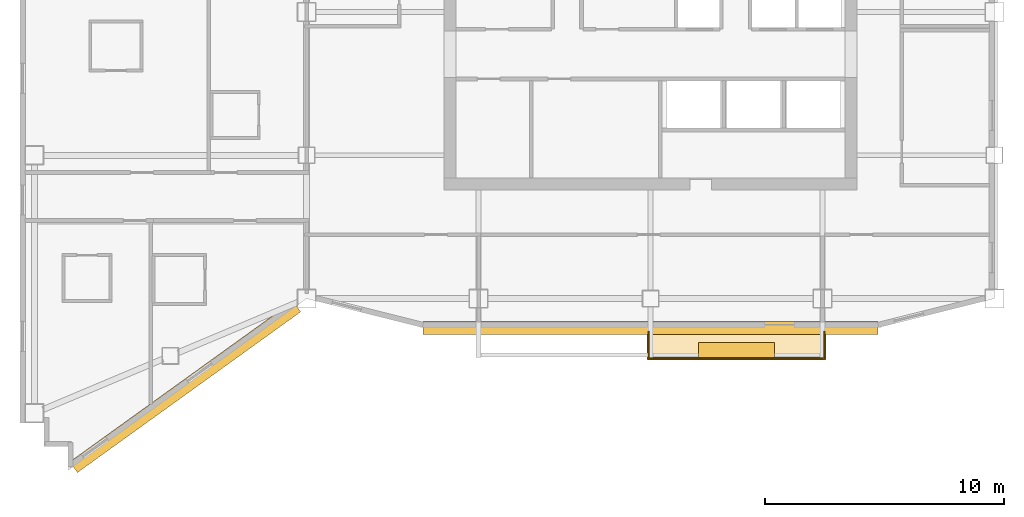
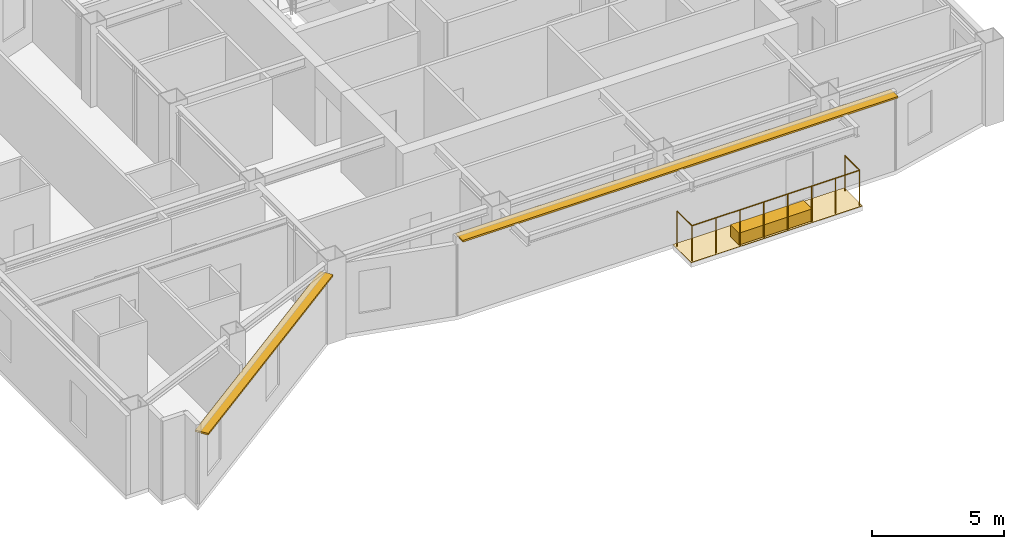
# One storey, part 9 of 10: 2 coverings, 2 railings, 2 shading devices.
"""IFC4 building model written with IfcOpenShell, lengths in metres."""

import ifcopenshell
import ifcopenshell.guid

model = None  # the IFC model being written
_history = None  # IfcOwnerHistory: only IFC2X3 demands one
_inside = {}  # id of a spatial element -> (the spatial element, [elements in it])
_under = {}  # id of a project, library or spatial element -> (it, [spatial elements below it])
_declared = {}  # id of a project -> (the project, [libraries it declares])
_typed = {}  # id of a type object -> (the type object, [elements of that type])
_made_of = {}  # id of a material, layer set ... -> (it, [elements and type objects made of it])


def new_model(schema):
    """Start an empty IFC model of exactly this schema.

    Asked for "IFC4X3", IfcOpenShell would pick the latest addendum, in which some entities
    have other attributes; the version numbers below select the first issue.
    IFC2X3 requires an IfcOwnerHistory on every rooted entity: one is made here for all.
    """
    global model, _history
    if schema == "IFC4X3":
        model = ifcopenshell.file(schema_version=(4, 3, 0, 0))
    else:
        model = ifcopenshell.file(schema=schema)
    _inside.clear()
    _under.clear()
    _declared.clear()
    _typed.clear()
    _made_of.clear()
    _history = None
    if model.schema == "IFC2X3":
        org = make("IfcOrganization", Name="unknown")
        user = make(
            "IfcPersonAndOrganization",
            ThePerson=make("IfcPerson", FamilyName="unknown"),
            TheOrganization=org,
        )
        app = make(
            "IfcApplication",
            ApplicationDeveloper=org,
            Version="unknown",
            ApplicationFullName="unknown",
            ApplicationIdentifier="unknown",
        )
        _history = make(
            "IfcOwnerHistory",
            OwningUser=user,
            OwningApplication=app,
            ChangeAction="ADDED",
            CreationDate=0,
        )
    return model


def make(cls, **values):
    """One entity of the class cls with the attributes given. An attribute that is None is left unset."""
    return model.create_entity(
        cls, **{name: value for name, value in values.items() if value is not None}
    )


def rooted(cls, **values):
    """An entity with a GlobalId (a new one), such as an element, a storey or a relation."""
    return make(cls, GlobalId=ifcopenshell.guid.new(), OwnerHistory=_history, **values)


def si_unit(unit_type, name, prefix=None):
    """IfcSIUnit, for example si_unit("LENGTHUNIT", "METRE", prefix="MILLI")."""
    return make("IfcSIUnit", UnitType=unit_type, Prefix=prefix, Name=name)


def assignment(units):
    """IfcUnitAssignment: the units of a project."""
    return None if units is None else make("IfcUnitAssignment", Units=units)


def point(xyz):
    """IfcCartesianPoint."""
    return None if xyz is None else make("IfcCartesianPoint", Coordinates=xyz)


def direction(xyz):
    """IfcDirection."""
    return None if xyz is None else make("IfcDirection", DirectionRatios=xyz)


def frame(location, z_axis=None, x_axis=None):
    """IfcAxis2Placement3D, a coordinate frame: its origin and axes. An axis left out is left unset."""
    return make(
        "IfcAxis2Placement3D",
        Location=point(location),
        Axis=direction(z_axis),
        RefDirection=direction(x_axis),
    )


def frame_2d(location, x_axis=None):
    """IfcAxis2Placement2D, a coordinate frame in the plane: its origin and x axis."""
    return make(
        "IfcAxis2Placement2D", Location=point(location), RefDirection=direction(x_axis)
    )


def origin():
    """The frame at (0, 0, 0) with its axes left unset."""
    return frame((0.0, 0.0, 0.0))


def origin_2d():
    """The frame at (0, 0) in the plane with its x axis left unset."""
    return frame_2d((0.0, 0.0))


def place(relative_to, where):
    """IfcLocalPlacement: puts the frame where relative to a parent placement (None: the world)."""
    return make(
        "IfcLocalPlacement", PlacementRelTo=relative_to, RelativePlacement=where
    )


def context(
    kind, dimensions, precision=None, world=None, true_north=None, identifier=None
):
    """IfcGeometricRepresentationContext, for example the 3D "Model" context."""
    return make(
        "IfcGeometricRepresentationContext",
        ContextIdentifier=identifier,
        ContextType=kind,
        CoordinateSpaceDimension=dimensions,
        Precision=precision,
        WorldCoordinateSystem=world,
        TrueNorth=true_north,
    )


def subcontext(parent, identifier, kind, view, scale=None):
    """IfcGeometricRepresentationSubContext, for example "Body" below "Model"."""
    return make(
        "IfcGeometricRepresentationSubContext",
        ContextIdentifier=identifier,
        ContextType=kind,
        ParentContext=parent,
        TargetScale=scale,
        TargetView=view,
    )


def project(units=None, contexts=None):
    """IfcProject with its units and contexts."""
    return rooted(
        "IfcProject",
        Name="project",
        RepresentationContexts=contexts,
        UnitsInContext=assignment(units),
    )


def spatial(cls, under=None, at=None, **own):
    """A site, building, storey or space (cls), placed at a placement, below another one or the project."""
    s = rooted(cls, ObjectPlacement=at, **own)
    if under is not None:
        _under.setdefault(under.id(), (under, []))[1].append(s)
    return s


def polyline(points):
    """IfcPolyline through the points."""
    return make("IfcPolyline", Points=[point(p) for p in points])


def profile(cls, at=None, kind="AREA", **sizes):
    """A parametric profile (cls). Its sizes go by their IFC names, for example OverallWidth=200.0."""
    return make(cls, ProfileType=kind, Position=at, **sizes)


def rectangle(**sizes):
    """IfcRectangleProfileDef."""
    return profile("IfcRectangleProfileDef", **sizes)


def circle(**sizes):
    """IfcCircleProfileDef."""
    return profile("IfcCircleProfileDef", **sizes)


def outline(outer, holes=None, kind="AREA"):
    """IfcArbitraryClosedProfileDef: a profile drawn as a closed curve; with holes, ...WithVoids."""
    if holes is None:
        return make("IfcArbitraryClosedProfileDef", ProfileType=kind, OuterCurve=outer)
    return make(
        "IfcArbitraryProfileDefWithVoids",
        ProfileType=kind,
        OuterCurve=outer,
        InnerCurves=holes,
    )


def extrude(swept, where, along, depth):
    """IfcExtrudedAreaSolid: the profile swept, set in the frame where, extruded along a direction by depth."""
    return make(
        "IfcExtrudedAreaSolid",
        SweptArea=swept,
        Position=where,
        ExtrudedDirection=direction(along),
        Depth=depth,
    )


def shape(context_of_items, identifier, shape_type, items):
    """IfcShapeRepresentation: the items that make up one representation, for example the "Body"."""
    return make(
        "IfcShapeRepresentation",
        ContextOfItems=context_of_items,
        RepresentationIdentifier=identifier,
        RepresentationType=shape_type,
        Items=items,
    )


def material(Name=None, Category=None):
    """IfcMaterial."""
    return make("IfcMaterial", Name=Name, Category=Category)


def layer(
    of_material, thickness, ventilated=None, Name=None, Category=None, Priority=None
):
    """IfcMaterialLayer: one layer of a wall or slab, of a material (None: an air gap)."""
    return make(
        "IfcMaterialLayer",
        Material=of_material,
        LayerThickness=thickness,
        IsVentilated=ventilated,
        Name=Name,
        Category=Category,
        Priority=Priority,
    )


def layer_set(layers, Name=None):
    """IfcMaterialLayerSet."""
    return make("IfcMaterialLayerSet", MaterialLayers=layers, LayerSetName=Name)


def made_of(thing, what):
    """Note that an element or type object is made of a material, layer set ...; save() writes the relation."""
    if what is not None:
        _made_of.setdefault(what.id(), (what, []))[1].append(thing)
    return thing


def type_object(cls, material=None, **own):
    """A type object (cls), such as IfcWallType, which elements share."""
    return made_of(rooted(cls, **own), material)


def element(
    cls,
    number,
    at=None,
    inside=None,
    cuts=None,
    type_object=None,
    material=None,
    context=None,
    identifier="Body",
    shape_type=None,
    held_by="IfcProductDefinitionShape",
    body=None,
    shapes=None,
    **own,
):
    """One element of the class cls, such as IfcWall. Its Tag is "e" and its number.

    at: its placement. inside: the storey or other place that contains it. cuts: it is an
    opening in that element (IfcRelVoidsElement). A single representation is given by context,
    identifier, shape_type and body (its items); several are given by shapes. held_by: the class
    of the entity that holds the representations. save() writes the other relations.
    """
    e = rooted(cls, Tag="e%d" % number, ObjectPlacement=at, **own)
    if body is not None:
        shapes = [shape(context, identifier, shape_type, body)]
    if shapes is not None:
        e.Representation = make(held_by, Representations=shapes)
    if inside is not None:
        _inside.setdefault(inside.id(), (inside, []))[1].append(e)
    if cuts is not None:
        rooted(
            "IfcRelVoidsElement", RelatingBuildingElement=cuts, RelatedOpeningElement=e
        )
    if type_object is not None:
        _typed.setdefault(type_object.id(), (type_object, []))[1].append(e)
    return made_of(e, material)


def aggregate(whole, parts):
    """IfcRelAggregates: a whole, such as a stair, and the parts it consists of."""
    return rooted("IfcRelAggregates", RelatingObject=whole, RelatedObjects=parts)


def save(model, path):
    """Write the relations noted so far, then the file.

    IfcRelAggregates (storeys below a building ...), IfcRelContainedInSpatialStructure (elements
    in a storey), IfcRelDefinesByType, IfcRelAssociatesMaterial and IfcRelDeclares: one each for
    every whole, place, type object, material and project.
    """
    for whole, parts in _under.values():
        aggregate(whole, parts)
    for where, things in _inside.values():
        rooted(
            "IfcRelContainedInSpatialStructure",
            RelatedElements=things,
            RelatingStructure=where,
        )
    for kind, things in _typed.values():
        rooted("IfcRelDefinesByType", RelatedObjects=things, RelatingType=kind)
    for what, things in _made_of.values():
        rooted("IfcRelAssociatesMaterial", RelatedObjects=things, RelatingMaterial=what)
    for by, libraries in _declared.values():
        rooted("IfcRelDeclares", RelatingContext=by, RelatedDefinitions=libraries)
    model.write(path)


model = new_model("IFC4")

# Units and contexts
model_context = context("Model", 3, precision=1e-05, world=origin(), true_north=direction((0.0, 1.0)))
body_context = subcontext(model_context, "Body", "Model", "MODEL_VIEW")
ifc_project = project(units=[si_unit("LENGTHUNIT", "METRE"), si_unit("AREAUNIT", "SQUARE_METRE"), si_unit("VOLUMEUNIT", "CUBIC_METRE"), si_unit("PLANEANGLEUNIT", "RADIAN"), si_unit("MASSUNIT", "GRAM", prefix="KILO")], contexts=[model_context])

# Site, building, storey
site_placement = place(None, origin())
site = spatial("IfcSite", under=ifc_project, at=site_placement, CompositionType="ELEMENT")
building_placement = place(site_placement, origin())
building = spatial("IfcBuilding", under=site, at=building_placement, Name="Haolan Belvedere Tower", CompositionType="ELEMENT")
storey_placement = place(building_placement, frame((0.0, 0.0, 246.75)))
storey = spatial("IfcBuildingStorey", under=building, at=storey_placement, Name="L62", CompositionType="ELEMENT", Elevation=246.75)

# Coverings
ifc_material_1 = material(Name="Engineered lightweight planted garden soil substrate", Category="masonry")
ifc_layer_1 = layer(ifc_material_1, 0.550048828125, Name="Engineered lightweight planted garden soil substrate")
ifc_layer_set_1 = layer_set([ifc_layer_1], Name="Engineered lightweight planted garden soil substrate")
covering_type_1 = type_object("IfcCoveringType", Name="COV-PLANT-550", PredefinedType="MEMBRANE", material=ifc_layer_set_1)
covering_1_placement = place(storey_placement, frame((42.0, 19.43994140625, 0.0), z_axis=(0.0, 0.0, 1.0), x_axis=(1.0, 0.0, 0.0)))
element("IfcCovering", 1, at=covering_1_placement, inside=storey, type_object=covering_type_1, Name="L62 structural tree balcony PLANTER box 1", PredefinedType="MEMBRANE", context=body_context, shape_type="SweptSolid", body=[
    extrude(rectangle(XDim=3.199951171875, YDim=0.64990234375, at=origin_2d()), origin(), (0.0, 0.0, 1.0), 0.550048828125),
])
ifc_material_2 = material(Name="Elastomeric waterproof roofing membrane and stone pavers", Category="masonry")
ifc_layer_2 = layer(ifc_material_2, 0.02001953125, Name="Elastomeric waterproof roofing membrane and stone pavers")
ifc_layer_set_2 = layer_set([ifc_layer_2], Name="Elastomeric waterproof roofing membrane and stone pavers")
covering_type_2 = type_object("IfcCoveringType", Name="COV-ROOF-20", PredefinedType="ROOFING", material=ifc_layer_set_2)
covering_2_placement = place(storey_placement, frame((0.0, 0.0, -0.02001953125)))
element("IfcCovering", 2, at=covering_2_placement, inside=storey, type_object=covering_type_2, Name="L62 tree-balcony waterproof membrane 1", PredefinedType="ROOFING", context=body_context, shape_type="SweptSolid", body=[
    extrude(outline(polyline([(38.25, 19.02001953125), (45.75, 19.02001953125), (45.75, 20.39990234375), (38.25, 20.39990234375), (38.25, 19.02001953125)])), origin(), (0.0, 0.0, 1.0), 0.02001953125),
])

# Railings
ifc_material_3 = material(Name="Anodised aluminium and laminated glass balustrade", Category="aluminium")
railing_type = type_object("IfcRailingType", Name="RL-TER-BAL-1150", PredefinedType="BALUSTRADE", material=ifc_material_3)
railing_1_placement = place(storey_placement, frame((38.330078125, 19.10009765625, 0.0)))
element("IfcRailing", 3, at=railing_1_placement, inside=storey, type_object=railing_type, Name="L62 outdoor perimeter balustrade BAL-L62-1-1", PredefinedType="BALUSTRADE", context=body_context, shape_type="SweptSolid", body=[
    extrude(circle(Radius=0.02392578125, at=origin_2d()), frame((0.0, 0.0, 1.6259765625), z_axis=(0.0, 1.0, 0.0), x_axis=(-1.0, 0.0, 0.0)), (0.0, 0.0, 1.0), 1.119873046875),
    extrude(circle(Radius=0.02099609375, at=origin_2d()), origin(), (0.0, 0.0, 1.0), 1.601806640625),
    extrude(circle(Radius=0.02099609375, at=origin_2d()), frame((0.0, 1.119873046875, 0.0)), (0.0, 0.0, 1.0), 1.601806640625),
])
railing_2_placement = place(storey_placement, frame((45.669921875, 20.219970703125, 0.0)))
element("IfcRailing", 4, at=railing_2_placement, inside=storey, type_object=railing_type, Name="L62 outdoor perimeter balustrade BAL-L62-1-2", PredefinedType="BALUSTRADE", context=body_context, shape_type="SweptSolid", body=[
    extrude(circle(Radius=0.02392578125, at=origin_2d()), frame((0.0, 0.0, 1.6259765625), z_axis=(0.0, -1.0, 0.0), x_axis=(1.0, 0.0, 0.0)), (0.0, 0.0, 1.0), 1.119873046875),
    extrude(circle(Radius=0.02392578125, at=origin_2d()), frame((0.0, -1.119873046875, 1.6259765625), z_axis=(-1.0, 0.0, 0.0), x_axis=(0.0, -1.0, 0.0)), (0.0, 0.0, 1.0), 7.33984375),
    extrude(circle(Radius=0.02099609375, at=origin_2d()), origin(), (0.0, 0.0, 1.0), 1.601806640625),
    extrude(circle(Radius=0.02099609375, at=origin_2d()), frame((0.0, -1.119873046875, 0.0)), (0.0, 0.0, 1.0), 1.601806640625),
    extrude(circle(Radius=0.02099609375, at=origin_2d()), frame((-1.048583984375, -1.119873046875, 0.0)), (0.0, 0.0, 1.0), 1.601806640625),
    extrude(circle(Radius=0.02099609375, at=origin_2d()), frame((-2.09716796875, -1.119873046875, 0.0)), (0.0, 0.0, 1.0), 1.601806640625),
    extrude(circle(Radius=0.02099609375, at=origin_2d()), frame((-3.145751953125, -1.119873046875, 0.0)), (0.0, 0.0, 1.0), 1.601806640625),
    extrude(circle(Radius=0.02099609375, at=origin_2d()), frame((-4.194091796875, -1.119873046875, 0.0)), (0.0, 0.0, 1.0), 1.601806640625),
    extrude(circle(Radius=0.02099609375, at=origin_2d()), frame((-5.24267578125, -1.119873046875, 0.0)), (0.0, 0.0, 1.0), 1.601806640625),
    extrude(circle(Radius=0.02099609375, at=origin_2d()), frame((-6.291259765625, -1.119873046875, 0.0)), (0.0, 0.0, 1.0), 1.601806640625),
    extrude(circle(Radius=0.02099609375, at=origin_2d()), frame((-7.33984375, -1.119873046875, 0.0)), (0.0, 0.0, 1.0), 1.601806640625),
])

# Shading devices
ifc_material_4 = material(Name="Anodised champagne-silver aluminium 6063-T6", Category="aluminium")
ifc_layer_3 = layer(ifc_material_4, 0.080078125, Name="Anodised champagne-silver aluminium 6063-T6")
ifc_layer_set_3 = layer_set([ifc_layer_3], Name="Anodised champagne-silver aluminium 6063-T6")
shading_device_type = type_object("IfcShadingDeviceType", Name="SHD-SUN-550", PredefinedType="USERDEFINED", material=ifc_layer_set_3)
shading_device_1_placement = place(storey_placement, frame((38.39990234375, 20.3701171875, 3.570068359375), z_axis=(0.0, 0.0, 1.0), x_axis=(1.0, 0.0, 0.0)))
element("IfcShadingDevice", 5, at=shading_device_1_placement, inside=storey, type_object=shading_device_type, Name="L62 pale-metal horizontal SUNSHADE band 1.1", ObjectType="SUNSHADE", PredefinedType="USERDEFINED", context=body_context, shape_type="SweptSolid", body=[
    extrude(rectangle(XDim=19.04296875, YDim=0.550048828125, at=origin_2d()), origin(), (0.0, 0.0, 1.0), 0.080078125),
])
shading_device_2_placement = place(storey_placement, frame((18.91845703125, 17.904296875, 3.21484375), z_axis=(0.0, 0.0, 1.0), x_axis=(0.811533191666, 0.584306322766, 0.0)))
element("IfcShadingDevice", 6, at=shading_device_2_placement, inside=storey, type_object=shading_device_type, Name="L62 pale-metal horizontal SUNSHADE band 28.1", ObjectType="SUNSHADE", PredefinedType="USERDEFINED", context=body_context, shape_type="SweptSolid", body=[
    extrude(rectangle(XDim=11.518798828125, YDim=0.550048828125, at=origin_2d()), origin(), (0.0, 0.0, 1.0), 0.080078125),
])

save(model, "model.ifc")
